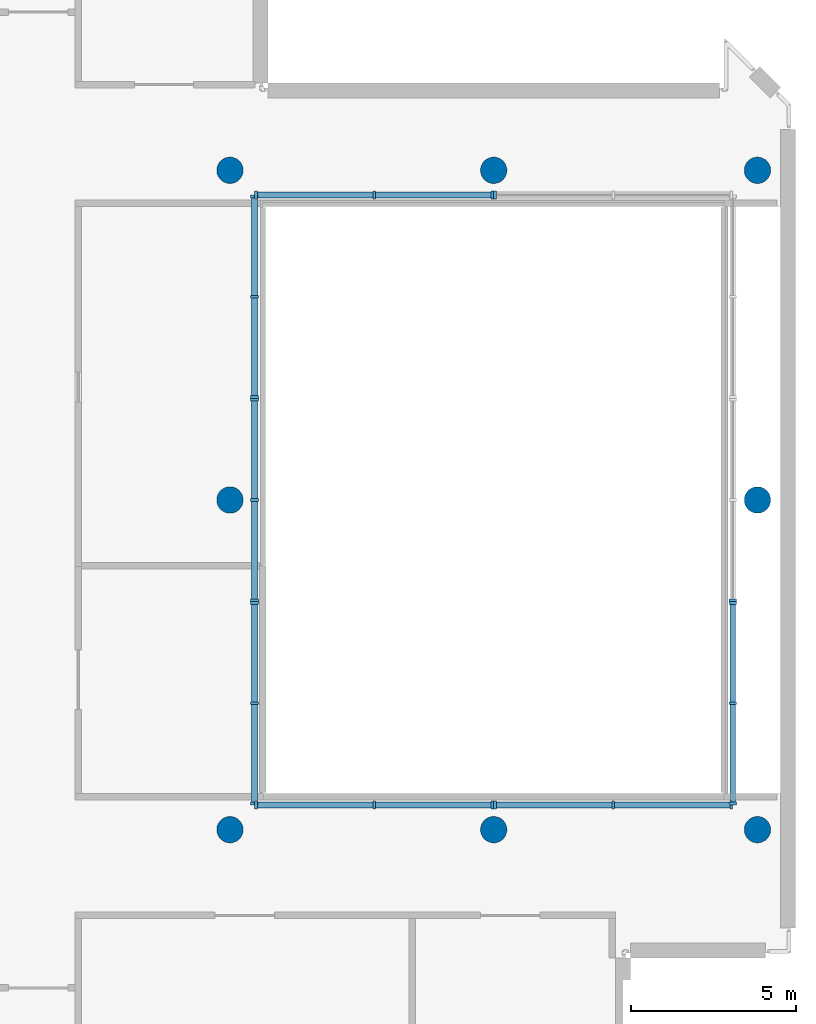
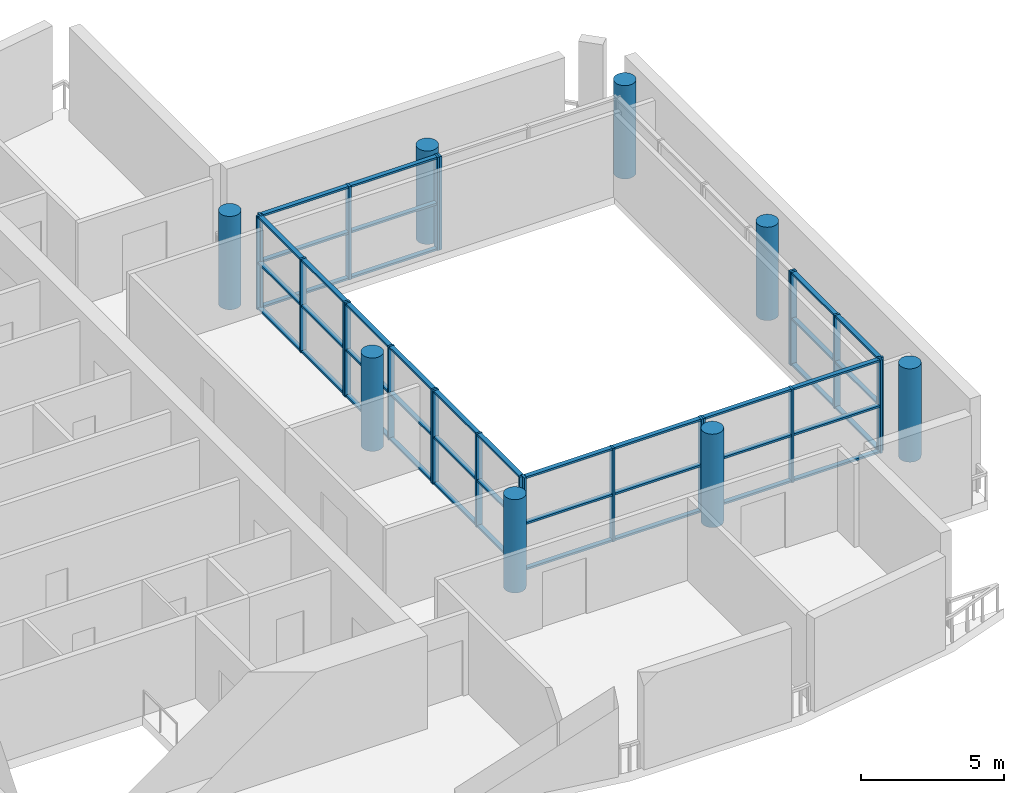
# One storey, part 1 of 6: 65 members, 8 columns, 9 elements without a shape of their own.
"""IFC4 building model written with IfcOpenShell, lengths in metres."""

from ifc_helpers import new_model, si_unit, direction, frame, origin, origin_2d, place, context, subcontext, project, spatial, rectangle, circle, extrude, material, material_profile, profile_set, type_object, element, aggregate, save


model = new_model("IFC4")

# Units and contexts
model_context = context("Model", 3, precision=1e-05, world=origin(), true_north=direction((0.0, 1.0)))
body_context = subcontext(model_context, "Body", "Model", "MODEL_VIEW")
ifc_project = project(units=[si_unit("LENGTHUNIT", "METRE"), si_unit("AREAUNIT", "SQUARE_METRE"), si_unit("VOLUMEUNIT", "CUBIC_METRE"), si_unit("PLANEANGLEUNIT", "RADIAN"), si_unit("MASSUNIT", "GRAM", prefix="KILO")], contexts=[model_context])

# Site, building, storey
site_placement = place(None, origin())
site = spatial("IfcSite", under=ifc_project, at=site_placement, CompositionType="ELEMENT")
building_placement = place(site_placement, origin())
building = spatial("IfcBuilding", under=site, at=building_placement, Name="Cypress Arch Tower", CompositionType="ELEMENT")
storey_placement = place(building_placement, frame((0.0, 0.0, 355.0)))
storey = spatial("IfcBuildingStorey", under=building, at=storey_placement, Name="L81", CompositionType="ELEMENT", Elevation=355.0)

# Columns
ifc_material_1 = material(Name="Concrete C60/75", Category="concrete")
ifc_material_profile_1 = material_profile(ifc_material_1, circle(Radius=0.39990234375, at=origin_2d()), Name="RC D800")
ifc_profile_set_1 = profile_set([ifc_material_profile_1], Name="Concrete C60/75")
column_type = type_object("IfcColumnType", Name="Column RC D800 Concrete C60/75", PredefinedType="COLUMN", material=ifc_profile_set_1)
for number, where, z_axis, x_axis, name in (
    (1, (-7.0, -10.0, 0.0), (0.0, 0.0, 1.0), (1.0, 0.0, 0.0), "Column L81 RNG-L81-G-7-10"),
    (2, (-7.0, 0.0, 0.0), (0.0, 0.0, 1.0), (1.0, 0.0, 0.0), "Column L81 RNG-L81-G-7+0"),
    (3, (-7.0, 10.0, 0.0), (0.0, 0.0, 1.0), (1.0, 0.0, 0.0), "Column L81 RNG-L81-G-7+10"),
    (4, (1.0, -10.0, 0.0), (0.0, 0.0, 1.0), (1.0, 0.0, 0.0), "Column L81 RNG-L81-G+1-10"),
    (5, (1.0, 10.0, 0.0), (0.0, 0.0, 1.0), (1.0, 0.0, 0.0), "Column L81 RNG-L81-G+1+10"),
    (6, (9.0, -10.0, 0.0), (0.0, 0.0, 1.0), (1.0, 0.0, 0.0), "Column L81 RNG-L81-G+9-10"),
    (7, (9.0, 0.0, 0.0), (0.0, 0.0, 1.0), (1.0, 0.0, 0.0), "Column L81 RNG-L81-G+9+0"),
    (8, (9.0, 10.0, 0.0), (0.0, 0.0, 1.0), (1.0, 0.0, 0.0), "Column L81 RNG-L81-G+9+10"),
):
    element("IfcColumn", number, at=place(storey_placement, frame(where, z_axis=z_axis, x_axis=x_axis)), inside=storey, type_object=column_type, Name=name, PredefinedType="COLUMN", context=body_context, shape_type="SweptSolid", body=[
        extrude(circle(Radius=0.39990234375, at=origin_2d()), origin(), (0.0, 0.0, 1.0), 4.0),
    ])

# Curtain wall, members
ifc_material_2 = material(Name="Anodised aluminium, bronze finish, clear laminated double glazing", Category="aluminium")
curtain_wall_type = type_object("IfcCurtainWallType", Name="Curtain wall CW4 atrium enclosure", PredefinedType="NOTDEFINED", material=ifc_material_2)
curtain_wall_1_placement = place(storey_placement, origin())
curtain_wall_1 = element("IfcCurtainWall", 9, at=curtain_wall_1_placement, inside=storey, type_object=curtain_wall_type, Name="Curtain wall L81 atrium 1.1", PredefinedType="NOTDEFINED")
ifc_material_3 = material(Name="Anodised aluminium, bronze finish", Category="aluminium")
ifc_material_profile_2 = material_profile(ifc_material_3, rectangle(XDim=0.239990234375, YDim=0.0849609375, at=origin_2d()), Name="Mullion 85x240")
ifc_profile_set_2 = profile_set([ifc_material_profile_2], Name="Anodised aluminium, bronze finish")
member_type_1 = type_object("IfcMemberType", Name="Mullion CW4 85x240", PredefinedType="MULLION", material=ifc_profile_set_2)
member_1_placement = place(storey_placement, frame((8.20751953125, -9.25, 0.0), z_axis=(0.0, 0.0, 1.0), x_axis=(0.0, -1.0, 0.0)))
member_1 = element("IfcMember", 10, at=member_1_placement, type_object=member_type_1, Name="CW4 mullion 1", PredefinedType="MULLION", context=body_context, shape_type="SweptSolid", body=[
    extrude(rectangle(XDim=0.239990234375, YDim=0.0849609375, at=origin_2d()), origin(), (0.0, 0.0, 1.0), 4.0),
])
member_2_placement = place(storey_placement, frame((4.625, -9.25, 0.0), z_axis=(0.0, 0.0, 1.0), x_axis=(0.0, -1.0, 0.0)))
member_2 = element("IfcMember", 11, at=member_2_placement, type_object=member_type_1, Name="CW4 mullion 2", PredefinedType="MULLION", context=body_context, shape_type="SweptSolid", body=[
    extrude(rectangle(XDim=0.239990234375, YDim=0.0849609375, at=origin_2d()), origin(), (0.0, 0.0, 1.0), 4.0),
])
member_3_placement = place(storey_placement, frame((1.04248046875, -9.25, 0.0), z_axis=(0.0, 0.0, 1.0), x_axis=(0.0, -1.0, 0.0)))
member_3 = element("IfcMember", 12, at=member_3_placement, type_object=member_type_1, Name="CW4 mullion 3", PredefinedType="MULLION", context=body_context, shape_type="SweptSolid", body=[
    extrude(rectangle(XDim=0.239990234375, YDim=0.0849609375, at=origin_2d()), origin(), (0.0, 0.0, 1.0), 4.0),
])

curtain_wall_2_placement = place(storey_placement, origin())
curtain_wall_2 = element("IfcCurtainWall", 13, at=curtain_wall_2_placement, inside=storey, type_object=curtain_wall_type, Name="Curtain wall L81 atrium 1.2", PredefinedType="NOTDEFINED")
member_4_placement = place(storey_placement, frame((0.95751953125, -9.25, 0.0), z_axis=(0.0, 0.0, 1.0), x_axis=(0.0, -1.0, 0.0)))
member_4 = element("IfcMember", 14, at=member_4_placement, type_object=member_type_1, Name="CW4 mullion 1", PredefinedType="MULLION", context=body_context, shape_type="SweptSolid", body=[
    extrude(rectangle(XDim=0.239990234375, YDim=0.0849609375, at=origin_2d()), origin(), (0.0, 0.0, 1.0), 4.0),
])
member_5_placement = place(storey_placement, frame((-2.625, -9.25, 0.0), z_axis=(0.0, 0.0, 1.0), x_axis=(0.0, -1.0, 0.0)))
member_5 = element("IfcMember", 15, at=member_5_placement, type_object=member_type_1, Name="CW4 mullion 2", PredefinedType="MULLION", context=body_context, shape_type="SweptSolid", body=[
    extrude(rectangle(XDim=0.239990234375, YDim=0.0849609375, at=origin_2d()), origin(), (0.0, 0.0, 1.0), 4.0),
])
member_6_placement = place(storey_placement, frame((-6.20751953125, -9.25, 0.0), z_axis=(0.0, 0.0, 1.0), x_axis=(0.0, -1.0, 0.0)))
member_6 = element("IfcMember", 16, at=member_6_placement, type_object=member_type_1, Name="CW4 mullion 3", PredefinedType="MULLION", context=body_context, shape_type="SweptSolid", body=[
    extrude(rectangle(XDim=0.239990234375, YDim=0.0849609375, at=origin_2d()), origin(), (0.0, 0.0, 1.0), 4.0),
])

curtain_wall_3_placement = place(storey_placement, origin())
curtain_wall_3 = element("IfcCurtainWall", 17, at=curtain_wall_3_placement, inside=storey, type_object=curtain_wall_type, Name="Curtain wall L81 atrium 2.1", PredefinedType="NOTDEFINED")
member_7_placement = place(storey_placement, frame((-6.25, -9.20751953125, 0.0), z_axis=(0.0, 0.0, 1.0), x_axis=(-1.0, 0.0, 0.0)))
member_7 = element("IfcMember", 18, at=member_7_placement, type_object=member_type_1, Name="CW4 mullion 1", PredefinedType="MULLION", context=body_context, shape_type="SweptSolid", body=[
    extrude(rectangle(XDim=0.239990234375, YDim=0.0849609375, at=origin_2d()), origin(), (0.0, 0.0, 1.0), 4.0),
])
member_8_placement = place(storey_placement, frame((-6.25, -6.166748046875, 0.0), z_axis=(0.0, 0.0, 1.0), x_axis=(-1.0, 0.0, 0.0)))
member_8 = element("IfcMember", 19, at=member_8_placement, type_object=member_type_1, Name="CW4 mullion 2", PredefinedType="MULLION", context=body_context, shape_type="SweptSolid", body=[
    extrude(rectangle(XDim=0.239990234375, YDim=0.0849609375, at=origin_2d()), origin(), (0.0, 0.0, 1.0), 4.0),
])
member_9_placement = place(storey_placement, frame((-6.25, -3.125732421875, 0.0), z_axis=(0.0, 0.0, 1.0), x_axis=(-1.0, 0.0, 0.0)))
member_9 = element("IfcMember", 20, at=member_9_placement, type_object=member_type_1, Name="CW4 mullion 3", PredefinedType="MULLION", context=body_context, shape_type="SweptSolid", body=[
    extrude(rectangle(XDim=0.239990234375, YDim=0.0849609375, at=origin_2d()), origin(), (0.0, 0.0, 1.0), 4.0),
])

curtain_wall_4_placement = place(storey_placement, origin())
curtain_wall_4 = element("IfcCurtainWall", 21, at=curtain_wall_4_placement, inside=storey, type_object=curtain_wall_type, Name="Curtain wall L81 atrium 2.2", PredefinedType="NOTDEFINED")
member_10_placement = place(storey_placement, frame((-6.25, -3.040771484375, 0.0), z_axis=(0.0, 0.0, 1.0), x_axis=(-1.0, 0.0, 0.0)))
member_10 = element("IfcMember", 22, at=member_10_placement, type_object=member_type_1, Name="CW4 mullion 1", PredefinedType="MULLION", context=body_context, shape_type="SweptSolid", body=[
    extrude(rectangle(XDim=0.239990234375, YDim=0.0849609375, at=origin_2d()), origin(), (0.0, 0.0, 1.0), 4.0),
])
member_11_placement = place(storey_placement, frame((-6.25, 0.0, 0.0), z_axis=(0.0, 0.0, 1.0), x_axis=(-1.0, 0.0, 0.0)))
member_11 = element("IfcMember", 23, at=member_11_placement, type_object=member_type_1, Name="CW4 mullion 2", PredefinedType="MULLION", context=body_context, shape_type="SweptSolid", body=[
    extrude(rectangle(XDim=0.239990234375, YDim=0.0849609375, at=origin_2d()), origin(), (0.0, 0.0, 1.0), 4.0),
])
member_12_placement = place(storey_placement, frame((-6.25, 3.040771484375, 0.0), z_axis=(0.0, 0.0, 1.0), x_axis=(-1.0, 0.0, 0.0)))
member_12 = element("IfcMember", 24, at=member_12_placement, type_object=member_type_1, Name="CW4 mullion 3", PredefinedType="MULLION", context=body_context, shape_type="SweptSolid", body=[
    extrude(rectangle(XDim=0.239990234375, YDim=0.0849609375, at=origin_2d()), origin(), (0.0, 0.0, 1.0), 4.0),
])

curtain_wall_5_placement = place(storey_placement, origin())
curtain_wall_5 = element("IfcCurtainWall", 25, at=curtain_wall_5_placement, inside=storey, type_object=curtain_wall_type, Name="Curtain wall L81 atrium 2.3", PredefinedType="NOTDEFINED")
member_13_placement = place(storey_placement, frame((-6.25, 3.125732421875, 0.0), z_axis=(0.0, 0.0, 1.0), x_axis=(-1.0, 0.0, 0.0)))
member_13 = element("IfcMember", 26, at=member_13_placement, type_object=member_type_1, Name="CW4 mullion 1", PredefinedType="MULLION", context=body_context, shape_type="SweptSolid", body=[
    extrude(rectangle(XDim=0.239990234375, YDim=0.0849609375, at=origin_2d()), origin(), (0.0, 0.0, 1.0), 4.0),
])
member_14_placement = place(storey_placement, frame((-6.25, 6.166748046875, 0.0), z_axis=(0.0, 0.0, 1.0), x_axis=(-1.0, 0.0, 0.0)))
member_14 = element("IfcMember", 27, at=member_14_placement, type_object=member_type_1, Name="CW4 mullion 2", PredefinedType="MULLION", context=body_context, shape_type="SweptSolid", body=[
    extrude(rectangle(XDim=0.239990234375, YDim=0.0849609375, at=origin_2d()), origin(), (0.0, 0.0, 1.0), 4.0),
])
member_15_placement = place(storey_placement, frame((-6.25, 9.20751953125, 0.0), z_axis=(0.0, 0.0, 1.0), x_axis=(-1.0, 0.0, 0.0)))
member_15 = element("IfcMember", 28, at=member_15_placement, type_object=member_type_1, Name="CW4 mullion 3", PredefinedType="MULLION", context=body_context, shape_type="SweptSolid", body=[
    extrude(rectangle(XDim=0.239990234375, YDim=0.0849609375, at=origin_2d()), origin(), (0.0, 0.0, 1.0), 4.0),
])

curtain_wall_6_placement = place(storey_placement, origin())
curtain_wall_6 = element("IfcCurtainWall", 29, at=curtain_wall_6_placement, inside=storey, type_object=curtain_wall_type, Name="Curtain wall L81 atrium 3.1", PredefinedType="NOTDEFINED")
member_16_placement = place(storey_placement, frame((-6.20751953125, 9.25, 0.0), z_axis=(0.0, 0.0, 1.0), x_axis=(0.0, 1.0, 0.0)))
member_16 = element("IfcMember", 30, at=member_16_placement, type_object=member_type_1, Name="CW4 mullion 1", PredefinedType="MULLION", context=body_context, shape_type="SweptSolid", body=[
    extrude(rectangle(XDim=0.239990234375, YDim=0.0849609375, at=origin_2d()), origin(), (0.0, 0.0, 1.0), 4.0),
])
member_17_placement = place(storey_placement, frame((-2.625, 9.25, 0.0), z_axis=(0.0, 0.0, 1.0), x_axis=(0.0, 1.0, 0.0)))
member_17 = element("IfcMember", 31, at=member_17_placement, type_object=member_type_1, Name="CW4 mullion 2", PredefinedType="MULLION", context=body_context, shape_type="SweptSolid", body=[
    extrude(rectangle(XDim=0.239990234375, YDim=0.0849609375, at=origin_2d()), origin(), (0.0, 0.0, 1.0), 4.0),
])
member_18_placement = place(storey_placement, frame((0.95751953125, 9.25, 0.0), z_axis=(0.0, 0.0, 1.0), x_axis=(0.0, 1.0, 0.0)))
member_18 = element("IfcMember", 32, at=member_18_placement, type_object=member_type_1, Name="CW4 mullion 3", PredefinedType="MULLION", context=body_context, shape_type="SweptSolid", body=[
    extrude(rectangle(XDim=0.239990234375, YDim=0.0849609375, at=origin_2d()), origin(), (0.0, 0.0, 1.0), 4.0),
])

# Curtain wall, member
curtain_wall_7_placement = place(storey_placement, origin())
curtain_wall_7 = element("IfcCurtainWall", 33, at=curtain_wall_7_placement, inside=storey, type_object=curtain_wall_type, Name="Curtain wall L81 atrium 3.2", PredefinedType="NOTDEFINED")
member_19_placement = place(storey_placement, frame((1.04248046875, 9.25, 0.0), z_axis=(0.0, 0.0, 1.0), x_axis=(0.0, 1.0, 0.0)))
member_19 = element("IfcMember", 34, at=member_19_placement, type_object=member_type_1, Name="CW4 mullion 1", PredefinedType="MULLION", context=body_context, shape_type="SweptSolid", body=[
    extrude(rectangle(XDim=0.239990234375, YDim=0.0849609375, at=origin_2d()), origin(), (0.0, 0.0, 1.0), 4.0),
])
aggregate(curtain_wall_7, [member_19])

curtain_wall_8_placement = place(storey_placement, origin())
curtain_wall_8 = element("IfcCurtainWall", 35, at=curtain_wall_8_placement, inside=storey, type_object=curtain_wall_type, Name="Curtain wall L81 atrium 4.2", PredefinedType="NOTDEFINED")
member_20_placement = place(storey_placement, frame((8.25, -3.040771484375, 0.0), z_axis=(0.0, 0.0, 1.0), x_axis=(1.0, 0.0, 0.0)))
member_20 = element("IfcMember", 36, at=member_20_placement, type_object=member_type_1, Name="CW4 mullion 3", PredefinedType="MULLION", context=body_context, shape_type="SweptSolid", body=[
    extrude(rectangle(XDim=0.239990234375, YDim=0.0849609375, at=origin_2d()), origin(), (0.0, 0.0, 1.0), 4.0),
])
aggregate(curtain_wall_8, [member_20])

# Curtain wall, members
curtain_wall_9_placement = place(storey_placement, origin())
curtain_wall_9 = element("IfcCurtainWall", 37, at=curtain_wall_9_placement, inside=storey, type_object=curtain_wall_type, Name="Curtain wall L81 atrium 4.3", PredefinedType="NOTDEFINED")
member_21_placement = place(storey_placement, frame((8.25, -3.125732421875, 0.0), z_axis=(0.0, 0.0, 1.0), x_axis=(1.0, 0.0, 0.0)))
member_21 = element("IfcMember", 38, at=member_21_placement, type_object=member_type_1, Name="CW4 mullion 1", PredefinedType="MULLION", context=body_context, shape_type="SweptSolid", body=[
    extrude(rectangle(XDim=0.239990234375, YDim=0.0849609375, at=origin_2d()), origin(), (0.0, 0.0, 1.0), 4.0),
])
member_22_placement = place(storey_placement, frame((8.25, -6.166748046875, 0.0), z_axis=(0.0, 0.0, 1.0), x_axis=(1.0, 0.0, 0.0)))
member_22 = element("IfcMember", 39, at=member_22_placement, type_object=member_type_1, Name="CW4 mullion 2", PredefinedType="MULLION", context=body_context, shape_type="SweptSolid", body=[
    extrude(rectangle(XDim=0.239990234375, YDim=0.0849609375, at=origin_2d()), origin(), (0.0, 0.0, 1.0), 4.0),
])
member_23_placement = place(storey_placement, frame((8.25, -9.20751953125, 0.0), z_axis=(0.0, 0.0, 1.0), x_axis=(1.0, 0.0, 0.0)))
member_23 = element("IfcMember", 40, at=member_23_placement, type_object=member_type_1, Name="CW4 mullion 3", PredefinedType="MULLION", context=body_context, shape_type="SweptSolid", body=[
    extrude(rectangle(XDim=0.239990234375, YDim=0.0849609375, at=origin_2d()), origin(), (0.0, 0.0, 1.0), 4.0),
])

# Member
ifc_material_4 = material(Name="Anodised aluminium, bronze finish", Category="aluminium")
ifc_material_profile_3 = material_profile(ifc_material_4, rectangle(XDim=0.179931640625, YDim=0.0849609375, at=origin_2d()), Name="Transom 85x180")
ifc_profile_set_3 = profile_set([ifc_material_profile_3], Name="Anodised aluminium, bronze finish")
member_type_2 = type_object("IfcMemberType", Name="Transom CW4 85x180", PredefinedType="USERDEFINED", material=ifc_profile_set_3)
member_24_placement = place(storey_placement, frame((8.1650390625, -9.25, 0.04248046875), z_axis=(-1.0, 0.0, 0.0), x_axis=(0.0, -1.0, 0.0)))
member_24 = element("IfcMember", 41, at=member_24_placement, type_object=member_type_2, Name="CW4 transom 1.1", ObjectType="TRANSOM", PredefinedType="USERDEFINED", context=body_context, shape_type="SweptSolid", body=[
    extrude(rectangle(XDim=0.179931640625, YDim=0.0849609375, at=origin_2d()), origin(), (0.0, 0.0, 1.0), 3.49755859375),
])

member_25_placement = place(storey_placement, frame((8.1650390625, -9.25, 2.0), z_axis=(-1.0, 0.0, 0.0), x_axis=(0.0, -1.0, 0.0)))
member_25 = element("IfcMember", 42, at=member_25_placement, type_object=member_type_2, Name="CW4 transom 1.2", ObjectType="TRANSOM", PredefinedType="USERDEFINED", context=body_context, shape_type="SweptSolid", body=[
    extrude(rectangle(XDim=0.179931640625, YDim=0.0849609375, at=origin_2d()), origin(), (0.0, 0.0, 1.0), 3.49755859375),
])

member_26_placement = place(storey_placement, frame((8.1650390625, -9.25, 3.95751953125), z_axis=(-1.0, 0.0, 0.0), x_axis=(0.0, -1.0, 0.0)))
member_26 = element("IfcMember", 43, at=member_26_placement, type_object=member_type_2, Name="CW4 transom 1.3", ObjectType="TRANSOM", PredefinedType="USERDEFINED", context=body_context, shape_type="SweptSolid", body=[
    extrude(rectangle(XDim=0.179931640625, YDim=0.0849609375, at=origin_2d()), origin(), (0.0, 0.0, 1.0), 3.49755859375),
])

member_27_placement = place(storey_placement, frame((4.58251953125, -9.25, 0.04248046875), z_axis=(-1.0, 0.0, 0.0), x_axis=(0.0, -1.0, 0.0)))
member_27 = element("IfcMember", 44, at=member_27_placement, type_object=member_type_2, Name="CW4 transom 2.1", ObjectType="TRANSOM", PredefinedType="USERDEFINED", context=body_context, shape_type="SweptSolid", body=[
    extrude(rectangle(XDim=0.179931640625, YDim=0.0849609375, at=origin_2d()), origin(), (0.0, 0.0, 1.0), 3.49755859375),
])

member_28_placement = place(storey_placement, frame((4.58251953125, -9.25, 2.0), z_axis=(-1.0, 0.0, 0.0), x_axis=(0.0, -1.0, 0.0)))
member_28 = element("IfcMember", 45, at=member_28_placement, type_object=member_type_2, Name="CW4 transom 2.2", ObjectType="TRANSOM", PredefinedType="USERDEFINED", context=body_context, shape_type="SweptSolid", body=[
    extrude(rectangle(XDim=0.179931640625, YDim=0.0849609375, at=origin_2d()), origin(), (0.0, 0.0, 1.0), 3.49755859375),
])

member_29_placement = place(storey_placement, frame((4.58251953125, -9.25, 3.95751953125), z_axis=(-1.0, 0.0, 0.0), x_axis=(0.0, -1.0, 0.0)))
member_29 = element("IfcMember", 46, at=member_29_placement, type_object=member_type_2, Name="CW4 transom 2.3", ObjectType="TRANSOM", PredefinedType="USERDEFINED", context=body_context, shape_type="SweptSolid", body=[
    extrude(rectangle(XDim=0.179931640625, YDim=0.0849609375, at=origin_2d()), origin(), (0.0, 0.0, 1.0), 3.49755859375),
])

aggregate(curtain_wall_1, [member_1, member_2, member_3, member_24, member_25, member_26, member_27, member_28, member_29])

member_30_placement = place(storey_placement, frame((0.9150390625, -9.25, 0.04248046875), z_axis=(-1.0, 0.0, 0.0), x_axis=(0.0, -1.0, 0.0)))
member_30 = element("IfcMember", 47, at=member_30_placement, type_object=member_type_2, Name="CW4 transom 1.1", ObjectType="TRANSOM", PredefinedType="USERDEFINED", context=body_context, shape_type="SweptSolid", body=[
    extrude(rectangle(XDim=0.179931640625, YDim=0.0849609375, at=origin_2d()), origin(), (0.0, 0.0, 1.0), 3.49755859375),
])

member_31_placement = place(storey_placement, frame((0.9150390625, -9.25, 2.0), z_axis=(-1.0, 0.0, 0.0), x_axis=(0.0, -1.0, 0.0)))
member_31 = element("IfcMember", 48, at=member_31_placement, type_object=member_type_2, Name="CW4 transom 1.2", ObjectType="TRANSOM", PredefinedType="USERDEFINED", context=body_context, shape_type="SweptSolid", body=[
    extrude(rectangle(XDim=0.179931640625, YDim=0.0849609375, at=origin_2d()), origin(), (0.0, 0.0, 1.0), 3.49755859375),
])

member_32_placement = place(storey_placement, frame((0.9150390625, -9.25, 3.95751953125), z_axis=(-1.0, 0.0, 0.0), x_axis=(0.0, -1.0, 0.0)))
member_32 = element("IfcMember", 49, at=member_32_placement, type_object=member_type_2, Name="CW4 transom 1.3", ObjectType="TRANSOM", PredefinedType="USERDEFINED", context=body_context, shape_type="SweptSolid", body=[
    extrude(rectangle(XDim=0.179931640625, YDim=0.0849609375, at=origin_2d()), origin(), (0.0, 0.0, 1.0), 3.49755859375),
])

member_33_placement = place(storey_placement, frame((-2.66748046875, -9.25, 0.04248046875), z_axis=(-1.0, 0.0, 0.0), x_axis=(0.0, -1.0, 0.0)))
member_33 = element("IfcMember", 50, at=member_33_placement, type_object=member_type_2, Name="CW4 transom 2.1", ObjectType="TRANSOM", PredefinedType="USERDEFINED", context=body_context, shape_type="SweptSolid", body=[
    extrude(rectangle(XDim=0.179931640625, YDim=0.0849609375, at=origin_2d()), origin(), (0.0, 0.0, 1.0), 3.49755859375),
])

member_34_placement = place(storey_placement, frame((-2.66748046875, -9.25, 2.0), z_axis=(-1.0, 0.0, 0.0), x_axis=(0.0, -1.0, 0.0)))
member_34 = element("IfcMember", 51, at=member_34_placement, type_object=member_type_2, Name="CW4 transom 2.2", ObjectType="TRANSOM", PredefinedType="USERDEFINED", context=body_context, shape_type="SweptSolid", body=[
    extrude(rectangle(XDim=0.179931640625, YDim=0.0849609375, at=origin_2d()), origin(), (0.0, 0.0, 1.0), 3.49755859375),
])

member_35_placement = place(storey_placement, frame((-2.66748046875, -9.25, 3.95751953125), z_axis=(-1.0, 0.0, 0.0), x_axis=(0.0, -1.0, 0.0)))
member_35 = element("IfcMember", 52, at=member_35_placement, type_object=member_type_2, Name="CW4 transom 2.3", ObjectType="TRANSOM", PredefinedType="USERDEFINED", context=body_context, shape_type="SweptSolid", body=[
    extrude(rectangle(XDim=0.179931640625, YDim=0.0849609375, at=origin_2d()), origin(), (0.0, 0.0, 1.0), 3.49755859375),
])

aggregate(curtain_wall_2, [member_4, member_5, member_6, member_30, member_31, member_32, member_33, member_34, member_35])

member_36_placement = place(storey_placement, frame((-6.25, -9.1650390625, 0.04248046875), z_axis=(0.0, 1.0, 0.0), x_axis=(-1.0, 0.0, 0.0)))
member_36 = element("IfcMember", 53, at=member_36_placement, type_object=member_type_2, Name="CW4 transom 1.1", ObjectType="TRANSOM", PredefinedType="USERDEFINED", context=body_context, shape_type="SweptSolid", body=[
    extrude(rectangle(XDim=0.179931640625, YDim=0.0849609375, at=origin_2d()), origin(), (0.0, 0.0, 1.0), 2.955810546875),
])

member_37_placement = place(storey_placement, frame((-6.25, -9.1650390625, 2.0), z_axis=(0.0, 1.0, 0.0), x_axis=(-1.0, 0.0, 0.0)))
member_37 = element("IfcMember", 54, at=member_37_placement, type_object=member_type_2, Name="CW4 transom 1.2", ObjectType="TRANSOM", PredefinedType="USERDEFINED", context=body_context, shape_type="SweptSolid", body=[
    extrude(rectangle(XDim=0.179931640625, YDim=0.0849609375, at=origin_2d()), origin(), (0.0, 0.0, 1.0), 2.955810546875),
])

member_38_placement = place(storey_placement, frame((-6.25, -9.1650390625, 3.95751953125), z_axis=(0.0, 1.0, 0.0), x_axis=(-1.0, 0.0, 0.0)))
member_38 = element("IfcMember", 55, at=member_38_placement, type_object=member_type_2, Name="CW4 transom 1.3", ObjectType="TRANSOM", PredefinedType="USERDEFINED", context=body_context, shape_type="SweptSolid", body=[
    extrude(rectangle(XDim=0.179931640625, YDim=0.0849609375, at=origin_2d()), origin(), (0.0, 0.0, 1.0), 2.955810546875),
])

member_39_placement = place(storey_placement, frame((-6.25, -6.124267578125, 0.04248046875), z_axis=(0.0, 1.0, 0.0), x_axis=(-1.0, 0.0, 0.0)))
member_39 = element("IfcMember", 56, at=member_39_placement, type_object=member_type_2, Name="CW4 transom 2.1", ObjectType="TRANSOM", PredefinedType="USERDEFINED", context=body_context, shape_type="SweptSolid", body=[
    extrude(rectangle(XDim=0.179931640625, YDim=0.0849609375, at=origin_2d()), origin(), (0.0, 0.0, 1.0), 2.9560546875),
])

member_40_placement = place(storey_placement, frame((-6.25, -6.124267578125, 2.0), z_axis=(0.0, 1.0, 0.0), x_axis=(-1.0, 0.0, 0.0)))
member_40 = element("IfcMember", 57, at=member_40_placement, type_object=member_type_2, Name="CW4 transom 2.2", ObjectType="TRANSOM", PredefinedType="USERDEFINED", context=body_context, shape_type="SweptSolid", body=[
    extrude(rectangle(XDim=0.179931640625, YDim=0.0849609375, at=origin_2d()), origin(), (0.0, 0.0, 1.0), 2.9560546875),
])

member_41_placement = place(storey_placement, frame((-6.25, -6.124267578125, 3.95751953125), z_axis=(0.0, 1.0, 0.0), x_axis=(-1.0, 0.0, 0.0)))
member_41 = element("IfcMember", 58, at=member_41_placement, type_object=member_type_2, Name="CW4 transom 2.3", ObjectType="TRANSOM", PredefinedType="USERDEFINED", context=body_context, shape_type="SweptSolid", body=[
    extrude(rectangle(XDim=0.179931640625, YDim=0.0849609375, at=origin_2d()), origin(), (0.0, 0.0, 1.0), 2.9560546875),
])

aggregate(curtain_wall_3, [member_7, member_8, member_9, member_36, member_37, member_38, member_39, member_40, member_41])

member_42_placement = place(storey_placement, frame((-6.25, -2.998291015625, 0.04248046875), z_axis=(0.0, 1.0, 0.0), x_axis=(-1.0, 0.0, 0.0)))
member_42 = element("IfcMember", 59, at=member_42_placement, type_object=member_type_2, Name="CW4 transom 1.1", ObjectType="TRANSOM", PredefinedType="USERDEFINED", context=body_context, shape_type="SweptSolid", body=[
    extrude(rectangle(XDim=0.179931640625, YDim=0.0849609375, at=origin_2d()), origin(), (0.0, 0.0, 1.0), 2.955810546875),
])

member_43_placement = place(storey_placement, frame((-6.25, -2.998291015625, 2.0), z_axis=(0.0, 1.0, 0.0), x_axis=(-1.0, 0.0, 0.0)))
member_43 = element("IfcMember", 60, at=member_43_placement, type_object=member_type_2, Name="CW4 transom 1.2", ObjectType="TRANSOM", PredefinedType="USERDEFINED", context=body_context, shape_type="SweptSolid", body=[
    extrude(rectangle(XDim=0.179931640625, YDim=0.0849609375, at=origin_2d()), origin(), (0.0, 0.0, 1.0), 2.955810546875),
])

member_44_placement = place(storey_placement, frame((-6.25, -2.998291015625, 3.95751953125), z_axis=(0.0, 1.0, 0.0), x_axis=(-1.0, 0.0, 0.0)))
member_44 = element("IfcMember", 61, at=member_44_placement, type_object=member_type_2, Name="CW4 transom 1.3", ObjectType="TRANSOM", PredefinedType="USERDEFINED", context=body_context, shape_type="SweptSolid", body=[
    extrude(rectangle(XDim=0.179931640625, YDim=0.0849609375, at=origin_2d()), origin(), (0.0, 0.0, 1.0), 2.955810546875),
])

member_45_placement = place(storey_placement, frame((-6.25, 0.04248046875, 0.04248046875), z_axis=(0.0, 1.0, 0.0), x_axis=(-1.0, 0.0, 0.0)))
member_45 = element("IfcMember", 62, at=member_45_placement, type_object=member_type_2, Name="CW4 transom 2.1", ObjectType="TRANSOM", PredefinedType="USERDEFINED", context=body_context, shape_type="SweptSolid", body=[
    extrude(rectangle(XDim=0.179931640625, YDim=0.0849609375, at=origin_2d()), origin(), (0.0, 0.0, 1.0), 2.955810546875),
])

member_46_placement = place(storey_placement, frame((-6.25, 0.04248046875, 2.0), z_axis=(0.0, 1.0, 0.0), x_axis=(-1.0, 0.0, 0.0)))
member_46 = element("IfcMember", 63, at=member_46_placement, type_object=member_type_2, Name="CW4 transom 2.2", ObjectType="TRANSOM", PredefinedType="USERDEFINED", context=body_context, shape_type="SweptSolid", body=[
    extrude(rectangle(XDim=0.179931640625, YDim=0.0849609375, at=origin_2d()), origin(), (0.0, 0.0, 1.0), 2.955810546875),
])

member_47_placement = place(storey_placement, frame((-6.25, 0.04248046875, 3.95751953125), z_axis=(0.0, 1.0, 0.0), x_axis=(-1.0, 0.0, 0.0)))
member_47 = element("IfcMember", 64, at=member_47_placement, type_object=member_type_2, Name="CW4 transom 2.3", ObjectType="TRANSOM", PredefinedType="USERDEFINED", context=body_context, shape_type="SweptSolid", body=[
    extrude(rectangle(XDim=0.179931640625, YDim=0.0849609375, at=origin_2d()), origin(), (0.0, 0.0, 1.0), 2.955810546875),
])

aggregate(curtain_wall_4, [member_10, member_11, member_12, member_42, member_43, member_44, member_45, member_46, member_47])

member_48_placement = place(storey_placement, frame((-6.25, 3.168212890625, 0.04248046875), z_axis=(0.0, 1.0, 0.0), x_axis=(-1.0, 0.0, 0.0)))
member_48 = element("IfcMember", 65, at=member_48_placement, type_object=member_type_2, Name="CW4 transom 1.1", ObjectType="TRANSOM", PredefinedType="USERDEFINED", context=body_context, shape_type="SweptSolid", body=[
    extrude(rectangle(XDim=0.179931640625, YDim=0.0849609375, at=origin_2d()), origin(), (0.0, 0.0, 1.0), 2.9560546875),
])

member_49_placement = place(storey_placement, frame((-6.25, 3.168212890625, 2.0), z_axis=(0.0, 1.0, 0.0), x_axis=(-1.0, 0.0, 0.0)))
member_49 = element("IfcMember", 66, at=member_49_placement, type_object=member_type_2, Name="CW4 transom 1.2", ObjectType="TRANSOM", PredefinedType="USERDEFINED", context=body_context, shape_type="SweptSolid", body=[
    extrude(rectangle(XDim=0.179931640625, YDim=0.0849609375, at=origin_2d()), origin(), (0.0, 0.0, 1.0), 2.9560546875),
])

member_50_placement = place(storey_placement, frame((-6.25, 3.168212890625, 3.95751953125), z_axis=(0.0, 1.0, 0.0), x_axis=(-1.0, 0.0, 0.0)))
member_50 = element("IfcMember", 67, at=member_50_placement, type_object=member_type_2, Name="CW4 transom 1.3", ObjectType="TRANSOM", PredefinedType="USERDEFINED", context=body_context, shape_type="SweptSolid", body=[
    extrude(rectangle(XDim=0.179931640625, YDim=0.0849609375, at=origin_2d()), origin(), (0.0, 0.0, 1.0), 2.9560546875),
])

member_51_placement = place(storey_placement, frame((-6.25, 6.209228515625, 0.04248046875), z_axis=(0.0, 1.0, 0.0), x_axis=(-1.0, 0.0, 0.0)))
member_51 = element("IfcMember", 68, at=member_51_placement, type_object=member_type_2, Name="CW4 transom 2.1", ObjectType="TRANSOM", PredefinedType="USERDEFINED", context=body_context, shape_type="SweptSolid", body=[
    extrude(rectangle(XDim=0.179931640625, YDim=0.0849609375, at=origin_2d()), origin(), (0.0, 0.0, 1.0), 2.955810546875),
])

member_52_placement = place(storey_placement, frame((-6.25, 6.209228515625, 2.0), z_axis=(0.0, 1.0, 0.0), x_axis=(-1.0, 0.0, 0.0)))
member_52 = element("IfcMember", 69, at=member_52_placement, type_object=member_type_2, Name="CW4 transom 2.2", ObjectType="TRANSOM", PredefinedType="USERDEFINED", context=body_context, shape_type="SweptSolid", body=[
    extrude(rectangle(XDim=0.179931640625, YDim=0.0849609375, at=origin_2d()), origin(), (0.0, 0.0, 1.0), 2.955810546875),
])

member_53_placement = place(storey_placement, frame((-6.25, 6.209228515625, 3.95751953125), z_axis=(0.0, 1.0, 0.0), x_axis=(-1.0, 0.0, 0.0)))
member_53 = element("IfcMember", 70, at=member_53_placement, type_object=member_type_2, Name="CW4 transom 2.3", ObjectType="TRANSOM", PredefinedType="USERDEFINED", context=body_context, shape_type="SweptSolid", body=[
    extrude(rectangle(XDim=0.179931640625, YDim=0.0849609375, at=origin_2d()), origin(), (0.0, 0.0, 1.0), 2.955810546875),
])

aggregate(curtain_wall_5, [member_13, member_14, member_15, member_48, member_49, member_50, member_51, member_52, member_53])

member_54_placement = place(storey_placement, frame((-6.1650390625, 9.25, 0.04248046875), z_axis=(1.0, 0.0, 0.0), x_axis=(0.0, 1.0, 0.0)))
member_54 = element("IfcMember", 71, at=member_54_placement, type_object=member_type_2, Name="CW4 transom 1.1", ObjectType="TRANSOM", PredefinedType="USERDEFINED", context=body_context, shape_type="SweptSolid", body=[
    extrude(rectangle(XDim=0.179931640625, YDim=0.0849609375, at=origin_2d()), origin(), (0.0, 0.0, 1.0), 3.49755859375),
])

member_55_placement = place(storey_placement, frame((-6.1650390625, 9.25, 2.0), z_axis=(1.0, 0.0, 0.0), x_axis=(0.0, 1.0, 0.0)))
member_55 = element("IfcMember", 72, at=member_55_placement, type_object=member_type_2, Name="CW4 transom 1.2", ObjectType="TRANSOM", PredefinedType="USERDEFINED", context=body_context, shape_type="SweptSolid", body=[
    extrude(rectangle(XDim=0.179931640625, YDim=0.0849609375, at=origin_2d()), origin(), (0.0, 0.0, 1.0), 3.49755859375),
])

member_56_placement = place(storey_placement, frame((-6.1650390625, 9.25, 3.95751953125), z_axis=(1.0, 0.0, 0.0), x_axis=(0.0, 1.0, 0.0)))
member_56 = element("IfcMember", 73, at=member_56_placement, type_object=member_type_2, Name="CW4 transom 1.3", ObjectType="TRANSOM", PredefinedType="USERDEFINED", context=body_context, shape_type="SweptSolid", body=[
    extrude(rectangle(XDim=0.179931640625, YDim=0.0849609375, at=origin_2d()), origin(), (0.0, 0.0, 1.0), 3.49755859375),
])

member_57_placement = place(storey_placement, frame((-2.58251953125, 9.25, 0.04248046875), z_axis=(1.0, 0.0, 0.0), x_axis=(0.0, 1.0, 0.0)))
member_57 = element("IfcMember", 74, at=member_57_placement, type_object=member_type_2, Name="CW4 transom 2.1", ObjectType="TRANSOM", PredefinedType="USERDEFINED", context=body_context, shape_type="SweptSolid", body=[
    extrude(rectangle(XDim=0.179931640625, YDim=0.0849609375, at=origin_2d()), origin(), (0.0, 0.0, 1.0), 3.49755859375),
])

member_58_placement = place(storey_placement, frame((-2.58251953125, 9.25, 2.0), z_axis=(1.0, 0.0, 0.0), x_axis=(0.0, 1.0, 0.0)))
member_58 = element("IfcMember", 75, at=member_58_placement, type_object=member_type_2, Name="CW4 transom 2.2", ObjectType="TRANSOM", PredefinedType="USERDEFINED", context=body_context, shape_type="SweptSolid", body=[
    extrude(rectangle(XDim=0.179931640625, YDim=0.0849609375, at=origin_2d()), origin(), (0.0, 0.0, 1.0), 3.49755859375),
])

member_59_placement = place(storey_placement, frame((-2.58251953125, 9.25, 3.95751953125), z_axis=(1.0, 0.0, 0.0), x_axis=(0.0, 1.0, 0.0)))
member_59 = element("IfcMember", 76, at=member_59_placement, type_object=member_type_2, Name="CW4 transom 2.3", ObjectType="TRANSOM", PredefinedType="USERDEFINED", context=body_context, shape_type="SweptSolid", body=[
    extrude(rectangle(XDim=0.179931640625, YDim=0.0849609375, at=origin_2d()), origin(), (0.0, 0.0, 1.0), 3.49755859375),
])

aggregate(curtain_wall_6, [member_16, member_17, member_18, member_54, member_55, member_56, member_57, member_58, member_59])

member_60_placement = place(storey_placement, frame((8.25, -3.168212890625, 0.04248046875), z_axis=(0.0, -1.0, 0.0), x_axis=(1.0, 0.0, 0.0)))
member_60 = element("IfcMember", 77, at=member_60_placement, type_object=member_type_2, Name="CW4 transom 1.1", ObjectType="TRANSOM", PredefinedType="USERDEFINED", context=body_context, shape_type="SweptSolid", body=[
    extrude(rectangle(XDim=0.179931640625, YDim=0.0849609375, at=origin_2d()), origin(), (0.0, 0.0, 1.0), 2.9560546875),
])

member_61_placement = place(storey_placement, frame((8.25, -3.168212890625, 2.0), z_axis=(0.0, -1.0, 0.0), x_axis=(1.0, 0.0, 0.0)))
member_61 = element("IfcMember", 78, at=member_61_placement, type_object=member_type_2, Name="CW4 transom 1.2", ObjectType="TRANSOM", PredefinedType="USERDEFINED", context=body_context, shape_type="SweptSolid", body=[
    extrude(rectangle(XDim=0.179931640625, YDim=0.0849609375, at=origin_2d()), origin(), (0.0, 0.0, 1.0), 2.9560546875),
])

member_62_placement = place(storey_placement, frame((8.25, -3.168212890625, 3.95751953125), z_axis=(0.0, -1.0, 0.0), x_axis=(1.0, 0.0, 0.0)))
member_62 = element("IfcMember", 79, at=member_62_placement, type_object=member_type_2, Name="CW4 transom 1.3", ObjectType="TRANSOM", PredefinedType="USERDEFINED", context=body_context, shape_type="SweptSolid", body=[
    extrude(rectangle(XDim=0.179931640625, YDim=0.0849609375, at=origin_2d()), origin(), (0.0, 0.0, 1.0), 2.9560546875),
])

member_63_placement = place(storey_placement, frame((8.25, -6.209228515625, 0.04248046875), z_axis=(0.0, -1.0, 0.0), x_axis=(1.0, 0.0, 0.0)))
member_63 = element("IfcMember", 80, at=member_63_placement, type_object=member_type_2, Name="CW4 transom 2.1", ObjectType="TRANSOM", PredefinedType="USERDEFINED", context=body_context, shape_type="SweptSolid", body=[
    extrude(rectangle(XDim=0.179931640625, YDim=0.0849609375, at=origin_2d()), origin(), (0.0, 0.0, 1.0), 2.955810546875),
])

member_64_placement = place(storey_placement, frame((8.25, -6.209228515625, 2.0), z_axis=(0.0, -1.0, 0.0), x_axis=(1.0, 0.0, 0.0)))
member_64 = element("IfcMember", 81, at=member_64_placement, type_object=member_type_2, Name="CW4 transom 2.2", ObjectType="TRANSOM", PredefinedType="USERDEFINED", context=body_context, shape_type="SweptSolid", body=[
    extrude(rectangle(XDim=0.179931640625, YDim=0.0849609375, at=origin_2d()), origin(), (0.0, 0.0, 1.0), 2.955810546875),
])

member_65_placement = place(storey_placement, frame((8.25, -6.209228515625, 3.95751953125), z_axis=(0.0, -1.0, 0.0), x_axis=(1.0, 0.0, 0.0)))
member_65 = element("IfcMember", 82, at=member_65_placement, type_object=member_type_2, Name="CW4 transom 2.3", ObjectType="TRANSOM", PredefinedType="USERDEFINED", context=body_context, shape_type="SweptSolid", body=[
    extrude(rectangle(XDim=0.179931640625, YDim=0.0849609375, at=origin_2d()), origin(), (0.0, 0.0, 1.0), 2.955810546875),
])

aggregate(curtain_wall_9, [member_21, member_22, member_23, member_60, member_61, member_62, member_63, member_64, member_65])

save(model, "model.ifc")
